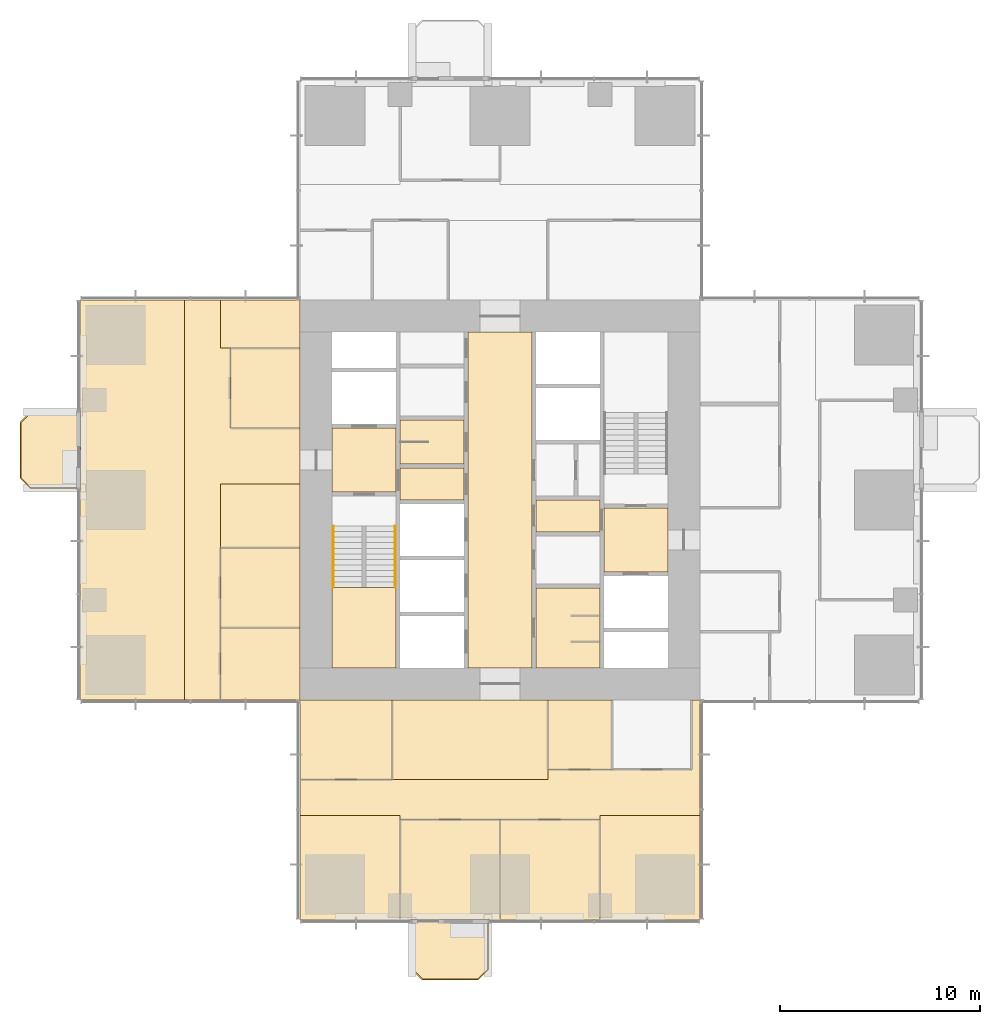
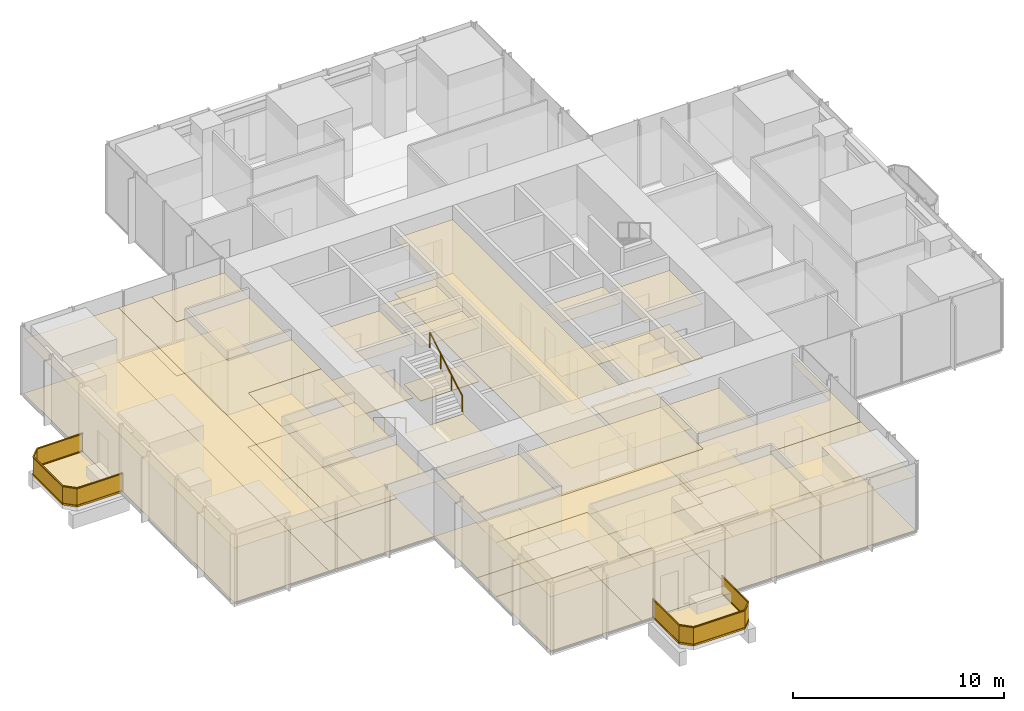
# One storey, part 11 of 13: 46 coverings, 4 railings.
"""IFC4 building model written with IfcOpenShell, lengths in metres."""

from ifc_helpers import new_model, si_unit, direction, frame, origin, origin_2d, place, context, subcontext, project, spatial, polyline, rectangle, circle, outline, extrude, material, layer, layer_set, type_object, element, save


model = new_model("IFC4")

# Units and contexts
model_context = context("Model", 3, precision=1e-05, world=origin(), true_north=direction((0.0, 1.0)))
body_context = subcontext(model_context, "Body", "Model", "MODEL_VIEW")
ifc_project = project(units=[si_unit("LENGTHUNIT", "METRE"), si_unit("AREAUNIT", "SQUARE_METRE"), si_unit("VOLUMEUNIT", "CUBIC_METRE"), si_unit("PLANEANGLEUNIT", "RADIAN"), si_unit("MASSUNIT", "GRAM", prefix="KILO")], contexts=[model_context])

# Site, building, storey
site_placement = place(None, origin())
site = spatial("IfcSite", under=ifc_project, at=site_placement, CompositionType="ELEMENT")
building_placement = place(site_placement, origin())
building = spatial("IfcBuilding", under=site, at=building_placement, Name="Svetlomir Tower", CompositionType="ELEMENT")
storey_placement = place(building_placement, frame((0.0, 0.0, 116.5)))
storey = spatial("IfcBuildingStorey", under=building, at=storey_placement, Name="L27", CompositionType="ELEMENT", Elevation=116.5)

# Railings
ifc_material_1 = material(Name="Bronze anodised aluminium and laminated glass", Category="aluminium")
railing_type_1 = type_object("IfcRailingType", Name="BALCONY GUARD GR1 1100", PredefinedType="GUARDRAIL", material=ifc_material_1)
railing_1_placement = place(storey_placement, frame((16.60009765625, 0.0, 0.0)))
element("IfcRailing", 1, at=railing_1_placement, inside=storey, type_object=railing_type_1, Name="Balcony guard S L27", PredefinedType="GUARDRAIL", context=body_context, shape_type="SweptSolid", body=[
    extrude(rectangle(XDim=0.06005859375, YDim=0.10009765625, at=origin_2d()), frame((0.0, 0.0, 0.050048828125), z_axis=(0.0, -1.0, 0.0), x_axis=(1.0, 0.0, 0.0)), (0.0, 0.0, 1.0), 2.5),
    extrude(rectangle(XDim=0.021484375, YDim=0.960205078125, at=origin_2d()), frame((0.0, 0.0, 0.580078125), z_axis=(0.0, -1.0, 0.0), x_axis=(1.0, 0.0, 0.0)), (0.0, 0.0, 1.0), 2.5),
    extrude(rectangle(XDim=0.06005859375, YDim=0.0400390625, at=origin_2d()), frame((0.0, 0.0, 1.080078125), z_axis=(0.0, -1.0, 0.0), x_axis=(1.0, 0.0, 0.0)), (0.0, 0.0, 1.0), 2.5),
    extrude(rectangle(XDim=0.06005859375, YDim=0.10009765625, at=origin_2d()), frame((0.0, -2.5, 0.050048828125), z_axis=(0.707106781187, -0.707106781187, 0.0), x_axis=(0.707106781187, 0.707106781187, 0.0)), (0.0, 0.0, 1.0), 0.70703125),
    extrude(rectangle(XDim=0.021484375, YDim=0.960205078125, at=origin_2d()), frame((0.0, -2.5, 0.580078125), z_axis=(0.707106781187, -0.707106781187, 0.0), x_axis=(0.707106781187, 0.707106781187, 0.0)), (0.0, 0.0, 1.0), 0.70703125),
    extrude(rectangle(XDim=0.06005859375, YDim=0.0400390625, at=origin_2d()), frame((0.0, -2.5, 1.080078125), z_axis=(0.707106781187, -0.707106781187, 0.0), x_axis=(0.707106781187, 0.707106781187, 0.0)), (0.0, 0.0, 1.0), 0.70703125),
    extrude(rectangle(XDim=0.06005859375, YDim=0.10009765625, at=origin_2d()), frame((0.5, -3.0, 0.050048828125), z_axis=(1.0, 0.0, 0.0), x_axis=(0.0, 1.0, 0.0)), (0.0, 0.0, 1.0), 2.7998046875),
    extrude(rectangle(XDim=0.021484375, YDim=0.960205078125, at=origin_2d()), frame((0.5, -3.0, 0.580078125), z_axis=(1.0, 0.0, 0.0), x_axis=(0.0, 1.0, 0.0)), (0.0, 0.0, 1.0), 2.7998046875),
    extrude(rectangle(XDim=0.06005859375, YDim=0.0400390625, at=origin_2d()), frame((0.5, -3.0, 1.080078125), z_axis=(1.0, 0.0, 0.0), x_axis=(0.0, 1.0, 0.0)), (0.0, 0.0, 1.0), 2.7998046875),
    extrude(rectangle(XDim=0.06005859375, YDim=0.10009765625, at=origin_2d()), frame((3.2998046875, -3.0, 0.050048828125), z_axis=(0.707106781187, 0.707106781187, 0.0), x_axis=(-0.707106781187, 0.707106781187, 0.0)), (0.0, 0.0, 1.0), 0.70703125),
    extrude(rectangle(XDim=0.021484375, YDim=0.960205078125, at=origin_2d()), frame((3.2998046875, -3.0, 0.580078125), z_axis=(0.707106781187, 0.707106781187, 0.0), x_axis=(-0.707106781187, 0.707106781187, 0.0)), (0.0, 0.0, 1.0), 0.70703125),
    extrude(rectangle(XDim=0.06005859375, YDim=0.0400390625, at=origin_2d()), frame((3.2998046875, -3.0, 1.080078125), z_axis=(0.707106781187, 0.707106781187, 0.0), x_axis=(-0.707106781187, 0.707106781187, 0.0)), (0.0, 0.0, 1.0), 0.70703125),
    extrude(rectangle(XDim=0.06005859375, YDim=0.10009765625, at=origin_2d()), frame((3.7998046875, -2.5, 0.050048828125), z_axis=(0.0, 1.0, 0.0), x_axis=(-1.0, 0.0, 0.0)), (0.0, 0.0, 1.0), 2.5),
    extrude(rectangle(XDim=0.021484375, YDim=0.960205078125, at=origin_2d()), frame((3.7998046875, -2.5, 0.580078125), z_axis=(0.0, 1.0, 0.0), x_axis=(-1.0, 0.0, 0.0)), (0.0, 0.0, 1.0), 2.5),
    extrude(rectangle(XDim=0.06005859375, YDim=0.0400390625, at=origin_2d()), frame((3.7998046875, -2.5, 1.080078125), z_axis=(0.0, 1.0, 0.0), x_axis=(-1.0, 0.0, 0.0)), (0.0, 0.0, 1.0), 2.5),
])
railing_2_placement = place(storey_placement, frame((0.0, 25.39990234375, 0.0)))
element("IfcRailing", 2, at=railing_2_placement, inside=storey, type_object=railing_type_1, Name="Balcony guard W L27", PredefinedType="GUARDRAIL", context=body_context, shape_type="SweptSolid", body=[
    extrude(rectangle(XDim=0.06005859375, YDim=0.10009765625, at=origin_2d()), frame((0.0, 0.0, 0.050048828125), z_axis=(-1.0, 0.0, 0.0), x_axis=(0.0, -1.0, 0.0)), (0.0, 0.0, 1.0), 2.5),
    extrude(rectangle(XDim=0.021484375, YDim=0.960205078125, at=origin_2d()), frame((0.0, 0.0, 0.580078125), z_axis=(-1.0, 0.0, 0.0), x_axis=(0.0, -1.0, 0.0)), (0.0, 0.0, 1.0), 2.5),
    extrude(rectangle(XDim=0.06005859375, YDim=0.0400390625, at=origin_2d()), frame((0.0, 0.0, 1.080078125), z_axis=(-1.0, 0.0, 0.0), x_axis=(0.0, -1.0, 0.0)), (0.0, 0.0, 1.0), 2.5),
    extrude(rectangle(XDim=0.06005859375, YDim=0.10009765625, at=origin_2d()), frame((-2.5, 0.0, 0.050048828125), z_axis=(-0.707106781187, -0.707106781187, 0.0), x_axis=(0.707106781187, -0.707106781187, 0.0)), (0.0, 0.0, 1.0), 0.70703125),
    extrude(rectangle(XDim=0.021484375, YDim=0.960205078125, at=origin_2d()), frame((-2.5, 0.0, 0.580078125), z_axis=(-0.707106781187, -0.707106781187, 0.0), x_axis=(0.707106781187, -0.707106781187, 0.0)), (0.0, 0.0, 1.0), 0.70703125),
    extrude(rectangle(XDim=0.06005859375, YDim=0.0400390625, at=origin_2d()), frame((-2.5, 0.0, 1.080078125), z_axis=(-0.707106781187, -0.707106781187, 0.0), x_axis=(0.707106781187, -0.707106781187, 0.0)), (0.0, 0.0, 1.0), 0.70703125),
    extrude(rectangle(XDim=0.06005859375, YDim=0.10009765625, at=origin_2d()), frame((-3.0, -0.5, 0.050048828125), z_axis=(0.0, -1.0, 0.0), x_axis=(1.0, 0.0, 0.0)), (0.0, 0.0, 1.0), 2.7998046875),
    extrude(rectangle(XDim=0.021484375, YDim=0.960205078125, at=origin_2d()), frame((-3.0, -0.5, 0.580078125), z_axis=(0.0, -1.0, 0.0), x_axis=(1.0, 0.0, 0.0)), (0.0, 0.0, 1.0), 2.7998046875),
    extrude(rectangle(XDim=0.06005859375, YDim=0.0400390625, at=origin_2d()), frame((-3.0, -0.5, 1.080078125), z_axis=(0.0, -1.0, 0.0), x_axis=(1.0, 0.0, 0.0)), (0.0, 0.0, 1.0), 2.7998046875),
    extrude(rectangle(XDim=0.06005859375, YDim=0.10009765625, at=origin_2d()), frame((-3.0, -3.2998046875, 0.050048828125), z_axis=(0.707106781187, -0.707106781187, 0.0), x_axis=(0.707106781187, 0.707106781187, 0.0)), (0.0, 0.0, 1.0), 0.70703125),
    extrude(rectangle(XDim=0.021484375, YDim=0.960205078125, at=origin_2d()), frame((-3.0, -3.2998046875, 0.580078125), z_axis=(0.707106781187, -0.707106781187, 0.0), x_axis=(0.707106781187, 0.707106781187, 0.0)), (0.0, 0.0, 1.0), 0.70703125),
    extrude(rectangle(XDim=0.06005859375, YDim=0.0400390625, at=origin_2d()), frame((-3.0, -3.2998046875, 1.080078125), z_axis=(0.707106781187, -0.707106781187, 0.0), x_axis=(0.707106781187, 0.707106781187, 0.0)), (0.0, 0.0, 1.0), 0.70703125),
    extrude(rectangle(XDim=0.06005859375, YDim=0.10009765625, at=origin_2d()), frame((-2.5, -3.7998046875, 0.050048828125), z_axis=(1.0, 0.0, 0.0), x_axis=(0.0, 1.0, 0.0)), (0.0, 0.0, 1.0), 2.5),
    extrude(rectangle(XDim=0.021484375, YDim=0.960205078125, at=origin_2d()), frame((-2.5, -3.7998046875, 0.580078125), z_axis=(1.0, 0.0, 0.0), x_axis=(0.0, 1.0, 0.0)), (0.0, 0.0, 1.0), 2.5),
    extrude(rectangle(XDim=0.06005859375, YDim=0.0400390625, at=origin_2d()), frame((-2.5, -3.7998046875, 1.080078125), z_axis=(1.0, 0.0, 0.0), x_axis=(0.0, 1.0, 0.0)), (0.0, 0.0, 1.0), 2.5),
])

# Coverings
ifc_material_2 = material(Name="Granite paving slabs on pedestals", Category="masonry")
ifc_layer_1 = layer(ifc_material_2, 0.0400390625)
ifc_layer_set_1 = layer_set([ifc_layer_1], Name="Granite paving slabs on pedestals")
covering_type_1 = type_object("IfcCoveringType", Name="BALCONY PAVING 40", PredefinedType="USERDEFINED", material=ifc_layer_set_1)
covering_1_placement = place(storey_placement, origin())
element("IfcCovering", 3, at=covering_1_placement, inside=storey, type_object=covering_type_1, Name="Balcony paving S L27", ObjectType="BALCONY PAVING", PredefinedType="USERDEFINED", context=body_context, shape_type="SweptSolid", body=[
    extrude(outline(polyline([(16.60009765625, -2.5), (17.10009765625, -3.0), (19.89990234375, -3.0), (20.39990234375, -2.5), (20.39990234375, 0.0), (16.60009765625, 0.0), (16.60009765625, -2.5)])), origin(), (0.0, 0.0, 1.0), 0.0400390625),
])
covering_2_placement = place(storey_placement, origin())
element("IfcCovering", 4, at=covering_2_placement, inside=storey, type_object=covering_type_1, Name="Balcony paving W L27", ObjectType="BALCONY PAVING", PredefinedType="USERDEFINED", context=body_context, shape_type="SweptSolid", body=[
    extrude(outline(polyline([(-2.5, 21.60009765625), (0.0, 21.60009765625), (0.0, 25.39990234375), (-2.5, 25.39990234375), (-3.0, 24.89990234375), (-3.0, 22.10009765625), (-2.5, 21.60009765625)])), origin(), (0.0, 0.0, 1.0), 0.0400390625),
])
ifc_material_3 = material(Name="Carpet tile", Category="textile")
ifc_layer_2 = layer(ifc_material_3, 0.010009765625)
ifc_layer_set_2 = layer_set([ifc_layer_2], Name="Carpet tile")
covering_type_2 = type_object("IfcCoveringType", Name="CARPET TILE FLOOR 10", PredefinedType="FLOORING", material=ifc_layer_set_2)
covering_3_placement = place(storey_placement, origin())
element("IfcCovering", 5, at=covering_3_placement, inside=storey, type_object=covering_type_2, Name="Floor finish L27-15", PredefinedType="FLOORING", context=body_context, shape_type="SweptSolid", body=[
    extrude(outline(polyline([(11.0, 7.0), (15.60009765625, 7.0), (15.60009765625, 11.0), (11.0, 11.0), (11.0, 7.0)])), origin(), (0.0, 0.0, 1.0), 0.010009765625),
])
covering_4_placement = place(storey_placement, origin())
element("IfcCovering", 6, at=covering_4_placement, inside=storey, type_object=covering_type_2, Name="Floor finish L27-16", PredefinedType="FLOORING", context=body_context, shape_type="SweptSolid", body=[
    extrude(outline(polyline([(23.39990234375, 7.5), (26.60009765625, 7.5), (26.60009765625, 11.0), (23.39990234375, 11.0), (23.39990234375, 7.5)])), origin(), (0.0, 0.0, 1.0), 0.010009765625),
])
covering_5_placement = place(storey_placement, origin())
element("IfcCovering", 7, at=covering_5_placement, inside=storey, type_object=covering_type_2, Name="Floor finish L27-18", PredefinedType="FLOORING", context=body_context, shape_type="SweptSolid", body=[
    extrude(outline(polyline([(16.0, 0.0), (21.0, 0.0), (21.0, 5.0), (16.0, 5.0), (16.0, 0.0)])), origin(), (0.0, 0.0, 1.0), 0.010009765625),
])
covering_6_placement = place(storey_placement, origin())
element("IfcCovering", 8, at=covering_6_placement, inside=storey, type_object=covering_type_2, Name="Floor finish L27-19", PredefinedType="FLOORING", context=body_context, shape_type="SweptSolid", body=[
    extrude(outline(polyline([(21.0, 0.0), (26.0, 0.0), (26.0, 5.0), (21.0, 5.0), (21.0, 0.0)])), origin(), (0.0, 0.0, 1.0), 0.010009765625),
])
covering_7_placement = place(storey_placement, origin())
element("IfcCovering", 9, at=covering_7_placement, inside=storey, type_object=covering_type_2, Name="Floor finish L27-29", PredefinedType="FLOORING", context=body_context, shape_type="SweptSolid", body=[
    extrude(outline(polyline([(7.0, 11.0), (11.0, 11.0), (11.0, 14.60009765625), (7.0, 14.60009765625), (7.0, 11.0)])), origin(), (0.0, 0.0, 1.0), 0.010009765625),
])
covering_8_placement = place(storey_placement, origin())
element("IfcCovering", 10, at=covering_8_placement, inside=storey, type_object=covering_type_2, Name="Floor finish L27-30", PredefinedType="FLOORING", context=body_context, shape_type="SweptSolid", body=[
    extrude(outline(polyline([(7.0, 14.60009765625), (11.0, 14.60009765625), (11.0, 18.60009765625), (7.0, 18.60009765625), (7.0, 14.60009765625)])), origin(), (0.0, 0.0, 1.0), 0.010009765625),
])
covering_9_placement = place(storey_placement, origin())
element("IfcCovering", 11, at=covering_9_placement, inside=storey, type_object=covering_type_2, Name="Floor finish L27-31", PredefinedType="FLOORING", context=body_context, shape_type="SweptSolid", body=[
    extrude(outline(polyline([(7.5, 24.60009765625), (11.0, 24.60009765625), (11.0, 28.60009765625), (7.5, 28.60009765625), (7.5, 24.60009765625)])), origin(), (0.0, 0.0, 1.0), 0.010009765625),
])
covering_10_placement = place(storey_placement, origin())
element("IfcCovering", 12, at=covering_10_placement, inside=storey, type_object=covering_type_2, Name="Floor finish L27-32", PredefinedType="FLOORING", context=body_context, shape_type="SweptSolid", body=[
    extrude(outline(polyline([(16.0, 5.0), (16.0, 5.199951171875), (11.0, 5.199951171875), (11.0, 7.0), (23.39990234375, 7.0), (23.39990234375, 7.5), (30.60009765625, 7.5), (30.60009765625, 11.0), (31.0, 11.0), (31.0, 5.199951171875), (26.0, 5.199951171875), (26.0, 5.0), (16.0, 5.0)])), origin(), (0.0, 0.0, 1.0), 0.010009765625),
])
covering_11_placement = place(storey_placement, origin())
element("IfcCovering", 13, at=covering_11_placement, inside=storey, type_object=covering_type_2, Name="Floor finish L27-33", PredefinedType="FLOORING", context=body_context, shape_type="SweptSolid", body=[
    extrude(outline(polyline([(7.0, 21.800048828125), (7.0, 11.0), (5.199951171875, 11.0), (5.199951171875, 31.0), (7.0, 31.0), (7.0, 28.60009765625), (7.5, 28.60009765625), (7.5, 24.60009765625), (11.0, 24.60009765625), (11.0, 21.800048828125), (7.0, 21.800048828125)])), origin(), (0.0, 0.0, 1.0), 0.010009765625),
])
covering_12_placement = place(storey_placement, origin())
element("IfcCovering", 14, at=covering_12_placement, inside=storey, type_object=covering_type_2, Name="Floor finish L27-36", PredefinedType="FLOORING", context=body_context, shape_type="SweptSolid", body=[
    extrude(outline(polyline([(16.0, 5.199951171875), (16.0, 0.0), (11.0, 0.0), (11.0, 5.199951171875), (16.0, 5.199951171875)])), origin(), (0.0, 0.0, 1.0), 0.010009765625),
])
covering_13_placement = place(storey_placement, origin())
element("IfcCovering", 15, at=covering_13_placement, inside=storey, type_object=covering_type_2, Name="Floor finish L27-37", PredefinedType="FLOORING", context=body_context, shape_type="SweptSolid", body=[
    extrude(outline(polyline([(23.39990234375, 11.0), (23.39990234375, 7.0), (15.60009765625, 7.0), (15.60009765625, 11.0), (23.39990234375, 11.0)])), origin(), (0.0, 0.0, 1.0), 0.010009765625),
])
covering_14_placement = place(storey_placement, origin())
element("IfcCovering", 16, at=covering_14_placement, inside=storey, type_object=covering_type_2, Name="Floor finish L27-38", PredefinedType="FLOORING", context=body_context, shape_type="SweptSolid", body=[
    extrude(outline(polyline([(26.0, 0.0), (26.0, 5.199951171875), (31.0, 5.199951171875), (31.0, 0.0), (26.0, 0.0)])), origin(), (0.0, 0.0, 1.0), 0.010009765625),
])
covering_15_placement = place(storey_placement, origin())
element("IfcCovering", 17, at=covering_15_placement, inside=storey, type_object=covering_type_2, Name="Floor finish L27-44", PredefinedType="FLOORING", context=body_context, shape_type="SweptSolid", body=[
    extrude(outline(polyline([(5.199951171875, 31.0), (5.199951171875, 11.0), (0.0, 11.0), (0.0, 31.0), (5.199951171875, 31.0)])), origin(), (0.0, 0.0, 1.0), 0.010009765625),
])
covering_16_placement = place(storey_placement, origin())
element("IfcCovering", 18, at=covering_16_placement, inside=storey, type_object=covering_type_2, Name="Floor finish L27-45", PredefinedType="FLOORING", context=body_context, shape_type="SweptSolid", body=[
    extrude(outline(polyline([(11.0, 28.60009765625), (7.0, 28.60009765625), (7.0, 31.0), (11.0, 31.0), (11.0, 28.60009765625)])), origin(), (0.0, 0.0, 1.0), 0.010009765625),
])
covering_17_placement = place(storey_placement, origin())
element("IfcCovering", 19, at=covering_17_placement, inside=storey, type_object=covering_type_2, Name="Floor finish L27-46", PredefinedType="FLOORING", context=body_context, shape_type="SweptSolid", body=[
    extrude(outline(polyline([(7.0, 18.60009765625), (7.0, 21.800048828125), (11.0, 21.800048828125), (11.0, 18.60009765625), (7.0, 18.60009765625)])), origin(), (0.0, 0.0, 1.0), 0.010009765625),
])
ifc_material_4 = material(Name="Ceramic floor tile", Category="ceramic")
ifc_layer_3 = layer(ifc_material_4, 0.014892578125)
ifc_layer_set_3 = layer_set([ifc_layer_3], Name="Ceramic floor tile")
covering_type_3 = type_object("IfcCoveringType", Name="CERAMIC TILE FLOOR 15", PredefinedType="FLOORING", material=ifc_layer_set_3)
covering_18_placement = place(storey_placement, origin())
element("IfcCovering", 20, at=covering_18_placement, inside=storey, type_object=covering_type_3, Name="Floor finish L27-08", PredefinedType="FLOORING", context=body_context, shape_type="SweptSolid", body=[
    extrude(outline(polyline([(22.800048828125, 12.60009765625), (26.0, 12.60009765625), (26.0, 16.60009765625), (22.800048828125, 16.60009765625), (22.800048828125, 12.60009765625)])), origin(), (0.0, 0.0, 1.0), 0.014892578125),
])

# Railings
ifc_material_5 = material(Name="Stainless steel", Category="steel")
railing_type_2 = type_object("IfcRailingType", Name="HANDRAIL HR1 900", PredefinedType="HANDRAIL", material=ifc_material_5)
railing_3_placement = place(storey_placement, frame((12.64990234375, 19.699951171875, 0.166748046875)))
element("IfcRailing", 21, at=railing_3_placement, inside=storey, type_object=railing_type_2, Name="Handrail S1 flight 1 L27", PredefinedType="HANDRAIL", context=body_context, shape_type="SweptSolid", body=[
    extrude(circle(Radius=0.02392578125, at=origin_2d()), frame((0.0, 0.0, 0.8759765625), z_axis=(0.0, -0.859290745958, 0.51148745235), x_axis=(1.0, 0.0, 0.0)), (0.0, 0.0, 1.0), 3.584228515625),
    extrude(circle(Radius=0.02099609375, at=origin_2d()), origin(), (0.0, 0.0, 1.0), 0.851806640625),
    extrude(circle(Radius=0.02099609375, at=origin_2d()), frame((0.0, -1.026611328125, 0.611083984375)), (0.0, 0.0, 1.0), 0.851806640625),
    extrude(circle(Radius=0.02099609375, at=origin_2d()), frame((0.0, -2.05322265625, 1.22216796875)), (0.0, 0.0, 1.0), 0.851806640625),
    extrude(circle(Radius=0.02099609375, at=origin_2d()), frame((0.0, -3.079833984375, 1.833251953125)), (0.0, 0.0, 1.0), 0.851806640625),
])
railing_4_placement = place(storey_placement, frame((15.75, 16.6201171875, 2.166748046875)))
element("IfcRailing", 22, at=railing_4_placement, inside=storey, type_object=railing_type_2, Name="Handrail S1 flight 2 L27", PredefinedType="HANDRAIL", context=body_context, shape_type="SweptSolid", body=[
    extrude(circle(Radius=0.02392578125, at=origin_2d()), frame((0.0, 0.0, 0.8759765625), z_axis=(0.0, 0.859290745958, 0.51148745235), x_axis=(-1.0, 0.0, 0.0)), (0.0, 0.0, 1.0), 3.584228515625),
    extrude(circle(Radius=0.02099609375, at=origin_2d()), origin(), (0.0, 0.0, 1.0), 0.851806640625),
    extrude(circle(Radius=0.02099609375, at=origin_2d()), frame((0.0, 1.026611328125, 0.611083984375)), (0.0, 0.0, 1.0), 0.851806640625),
    extrude(circle(Radius=0.02099609375, at=origin_2d()), frame((0.0, 2.05322265625, 1.22216796875)), (0.0, 0.0, 1.0), 0.851806640625),
    extrude(circle(Radius=0.02099609375, at=origin_2d()), frame((0.0, 3.079833984375, 1.833251953125)), (0.0, 0.0, 1.0), 0.851806640625),
])

# Coverings
ifc_material_6 = material(Name="Moisture resistant plasterboard ceiling", Category="gypsum")
ifc_layer_4 = layer(ifc_material_6, 0.012451171875)
ifc_layer_set_4 = layer_set([ifc_layer_4], Name="Moisture resistant plasterboard ceiling")
covering_type_4 = type_object("IfcCoveringType", Name="MOISTURE RESISTANT CEILING 12.5", PredefinedType="CEILING", material=ifc_layer_set_4)
covering_19_placement = place(storey_placement, frame((0.0, 0.0, 3.137451171875)))
element("IfcCovering", 23, at=covering_19_placement, inside=storey, type_object=covering_type_4, Name="Ceiling L27-04", PredefinedType="CEILING", context=body_context, shape_type="SweptSolid", body=[
    extrude(outline(polyline([(16.0, 22.800048828125), (19.199951171875, 22.800048828125), (19.199951171875, 25.0), (16.0, 25.0), (16.0, 22.800048828125)])), origin(), (0.0, 0.0, 1.0), 0.012451171875),
])
covering_20_placement = place(storey_placement, frame((0.0, 0.0, 3.137451171875)))
element("IfcCovering", 24, at=covering_20_placement, inside=storey, type_object=covering_type_4, Name="Ceiling L27-08", PredefinedType="CEILING", context=body_context, shape_type="SweptSolid", body=[
    extrude(outline(polyline([(22.800048828125, 12.60009765625), (26.0, 12.60009765625), (26.0, 16.60009765625), (22.800048828125, 16.60009765625), (22.800048828125, 12.60009765625)])), origin(), (0.0, 0.0, 1.0), 0.012451171875),
])
ifc_material_7 = material(Name="Gypsum plasterboard ceiling", Category="gypsum")
ifc_layer_5 = layer(ifc_material_7, 0.014892578125)
ifc_layer_set_5 = layer_set([ifc_layer_5], Name="Gypsum plasterboard ceiling")
covering_type_5 = type_object("IfcCoveringType", Name="PLASTERBOARD CEILING 15", PredefinedType="CEILING", material=ifc_layer_set_5)
covering_21_placement = place(storey_placement, frame((0.0, 0.0, 3.135009765625)))
element("IfcCovering", 25, at=covering_21_placement, inside=storey, type_object=covering_type_5, Name="Ceiling L27-02", PredefinedType="CEILING", context=body_context, shape_type="SweptSolid", body=[
    extrude(outline(polyline([(12.60009765625, 21.39990234375), (15.800048828125, 21.39990234375), (15.800048828125, 24.60009765625), (12.60009765625, 24.60009765625), (12.60009765625, 21.39990234375)])), origin(), (0.0, 0.0, 1.0), 0.014892578125),
])
covering_22_placement = place(storey_placement, frame((0.0, 0.0, 3.135009765625)))
element("IfcCovering", 26, at=covering_22_placement, inside=storey, type_object=covering_type_5, Name="Ceiling L27-03", PredefinedType="CEILING", context=body_context, shape_type="SweptSolid", body=[
    extrude(outline(polyline([(16.0, 21.0), (19.199951171875, 21.0), (19.199951171875, 22.60009765625), (16.0, 22.60009765625), (16.0, 21.0)])), origin(), (0.0, 0.0, 1.0), 0.014892578125),
])
covering_23_placement = place(storey_placement, frame((0.0, 0.0, 3.135009765625)))
element("IfcCovering", 27, at=covering_23_placement, inside=storey, type_object=covering_type_5, Name="Ceiling L27-07", PredefinedType="CEILING", context=body_context, shape_type="SweptSolid", body=[
    extrude(outline(polyline([(19.39990234375, 12.60009765625), (22.60009765625, 12.60009765625), (22.60009765625, 29.39990234375), (19.39990234375, 29.39990234375), (19.39990234375, 12.60009765625)])), origin(), (0.0, 0.0, 1.0), 0.014892578125),
])
covering_24_placement = place(storey_placement, frame((0.0, 0.0, 3.135009765625)))
element("IfcCovering", 28, at=covering_24_placement, inside=storey, type_object=covering_type_5, Name="Ceiling L27-10", PredefinedType="CEILING", context=body_context, shape_type="SweptSolid", body=[
    extrude(outline(polyline([(22.800048828125, 19.39990234375), (26.0, 19.39990234375), (26.0, 21.0), (22.800048828125, 21.0), (22.800048828125, 19.39990234375)])), origin(), (0.0, 0.0, 1.0), 0.014892578125),
])
covering_25_placement = place(storey_placement, frame((0.0, 0.0, 3.135009765625)))
element("IfcCovering", 29, at=covering_25_placement, inside=storey, type_object=covering_type_5, Name="Ceiling L27-11", PredefinedType="CEILING", context=body_context, shape_type="SweptSolid", body=[
    extrude(outline(polyline([(26.199951171875, 17.39990234375), (29.39990234375, 17.39990234375), (29.39990234375, 20.60009765625), (26.199951171875, 20.60009765625), (26.199951171875, 17.39990234375)])), origin(), (0.0, 0.0, 1.0), 0.014892578125),
])
ifc_material_8 = material(Name="Studded rubber floor finish", Category="rubber")
ifc_layer_6 = layer(ifc_material_8, 0.006103515625)
ifc_layer_set_6 = layer_set([ifc_layer_6], Name="Studded rubber floor finish")
covering_type_6 = type_object("IfcCoveringType", Name="RUBBER LANDING FINISH 6", PredefinedType="FLOORING", material=ifc_layer_set_6)
covering_26_placement = place(storey_placement, frame((0.0, 0.0, 2.0)))
element("IfcCovering", 30, at=covering_26_placement, inside=storey, type_object=covering_type_6, Name="Stair S1 landing finish L27", PredefinedType="FLOORING", context=body_context, shape_type="SweptSolid", body=[
    extrude(outline(polyline([(12.60009765625, 12.60009765625), (15.800048828125, 12.60009765625), (15.800048828125, 16.6201171875), (12.60009765625, 16.6201171875), (12.60009765625, 12.60009765625)])), origin(), (0.0, 0.0, 1.0), 0.006103515625),
])
ifc_material_9 = material(Name="Mineral fibre ceiling tile", Category="mineral")
ifc_layer_7 = layer(ifc_material_9, 0.02001953125)
ifc_layer_set_7 = layer_set([ifc_layer_7], Name="Mineral fibre ceiling tile")
covering_type_7 = type_object("IfcCoveringType", Name="SUSPENDED CEILING 20", PredefinedType="CEILING", material=ifc_layer_set_7)
covering_27_placement = place(storey_placement, frame((0.0, 0.0, 3.1298828125)))
element("IfcCovering", 31, at=covering_27_placement, inside=storey, type_object=covering_type_7, Name="Ceiling L27-15", PredefinedType="CEILING", context=body_context, shape_type="SweptSolid", body=[
    extrude(outline(polyline([(11.0, 7.0), (15.60009765625, 7.0), (15.60009765625, 11.0), (11.0, 11.0), (11.0, 7.0)])), origin(), (0.0, 0.0, 1.0), 0.02001953125),
])
covering_28_placement = place(storey_placement, frame((0.0, 0.0, 3.1298828125)))
element("IfcCovering", 32, at=covering_28_placement, inside=storey, type_object=covering_type_7, Name="Ceiling L27-16", PredefinedType="CEILING", context=body_context, shape_type="SweptSolid", body=[
    extrude(outline(polyline([(23.39990234375, 7.5), (26.60009765625, 7.5), (26.60009765625, 11.0), (23.39990234375, 11.0), (23.39990234375, 7.5)])), origin(), (0.0, 0.0, 1.0), 0.02001953125),
])
covering_29_placement = place(storey_placement, frame((0.0, 0.0, 3.1298828125)))
element("IfcCovering", 33, at=covering_29_placement, inside=storey, type_object=covering_type_7, Name="Ceiling L27-18", PredefinedType="CEILING", context=body_context, shape_type="SweptSolid", body=[
    extrude(outline(polyline([(16.0, 0.0), (21.0, 0.0), (21.0, 5.0), (16.0, 5.0), (16.0, 0.0)])), origin(), (0.0, 0.0, 1.0), 0.02001953125),
])
covering_30_placement = place(storey_placement, frame((0.0, 0.0, 3.1298828125)))
element("IfcCovering", 34, at=covering_30_placement, inside=storey, type_object=covering_type_7, Name="Ceiling L27-19", PredefinedType="CEILING", context=body_context, shape_type="SweptSolid", body=[
    extrude(outline(polyline([(21.0, 0.0), (26.0, 0.0), (26.0, 5.0), (21.0, 5.0), (21.0, 0.0)])), origin(), (0.0, 0.0, 1.0), 0.02001953125),
])
covering_31_placement = place(storey_placement, frame((0.0, 0.0, 3.1298828125)))
element("IfcCovering", 35, at=covering_31_placement, inside=storey, type_object=covering_type_7, Name="Ceiling L27-29", PredefinedType="CEILING", context=body_context, shape_type="SweptSolid", body=[
    extrude(outline(polyline([(7.0, 11.0), (11.0, 11.0), (11.0, 14.60009765625), (7.0, 14.60009765625), (7.0, 11.0)])), origin(), (0.0, 0.0, 1.0), 0.02001953125),
])
covering_32_placement = place(storey_placement, frame((0.0, 0.0, 3.1298828125)))
element("IfcCovering", 36, at=covering_32_placement, inside=storey, type_object=covering_type_7, Name="Ceiling L27-30", PredefinedType="CEILING", context=body_context, shape_type="SweptSolid", body=[
    extrude(outline(polyline([(7.0, 14.60009765625), (11.0, 14.60009765625), (11.0, 18.60009765625), (7.0, 18.60009765625), (7.0, 14.60009765625)])), origin(), (0.0, 0.0, 1.0), 0.02001953125),
])
covering_33_placement = place(storey_placement, frame((0.0, 0.0, 3.1298828125)))
element("IfcCovering", 37, at=covering_33_placement, inside=storey, type_object=covering_type_7, Name="Ceiling L27-31", PredefinedType="CEILING", context=body_context, shape_type="SweptSolid", body=[
    extrude(outline(polyline([(7.5, 24.60009765625), (11.0, 24.60009765625), (11.0, 28.60009765625), (7.5, 28.60009765625), (7.5, 24.60009765625)])), origin(), (0.0, 0.0, 1.0), 0.02001953125),
])
covering_34_placement = place(storey_placement, frame((0.0, 0.0, 3.1298828125)))
element("IfcCovering", 38, at=covering_34_placement, inside=storey, type_object=covering_type_7, Name="Ceiling L27-32", PredefinedType="CEILING", context=body_context, shape_type="SweptSolid", body=[
    extrude(outline(polyline([(16.0, 5.0), (16.0, 5.199951171875), (11.0, 5.199951171875), (11.0, 7.0), (23.39990234375, 7.0), (23.39990234375, 7.5), (30.60009765625, 7.5), (30.60009765625, 11.0), (31.0, 11.0), (31.0, 5.199951171875), (26.0, 5.199951171875), (26.0, 5.0), (16.0, 5.0)])), origin(), (0.0, 0.0, 1.0), 0.02001953125),
])
covering_35_placement = place(storey_placement, frame((0.0, 0.0, 3.1298828125)))
element("IfcCovering", 39, at=covering_35_placement, inside=storey, type_object=covering_type_7, Name="Ceiling L27-33", PredefinedType="CEILING", context=body_context, shape_type="SweptSolid", body=[
    extrude(outline(polyline([(7.0, 21.800048828125), (7.0, 11.0), (5.199951171875, 11.0), (5.199951171875, 31.0), (7.0, 31.0), (7.0, 28.60009765625), (7.5, 28.60009765625), (7.5, 24.60009765625), (11.0, 24.60009765625), (11.0, 21.800048828125), (7.0, 21.800048828125)])), origin(), (0.0, 0.0, 1.0), 0.02001953125),
])
covering_36_placement = place(storey_placement, frame((0.0, 0.0, 3.1298828125)))
element("IfcCovering", 40, at=covering_36_placement, inside=storey, type_object=covering_type_7, Name="Ceiling L27-36", PredefinedType="CEILING", context=body_context, shape_type="SweptSolid", body=[
    extrude(outline(polyline([(16.0, 5.199951171875), (16.0, 0.0), (11.0, 0.0), (11.0, 5.199951171875), (16.0, 5.199951171875)])), origin(), (0.0, 0.0, 1.0), 0.02001953125),
])
covering_37_placement = place(storey_placement, frame((0.0, 0.0, 3.1298828125)))
element("IfcCovering", 41, at=covering_37_placement, inside=storey, type_object=covering_type_7, Name="Ceiling L27-37", PredefinedType="CEILING", context=body_context, shape_type="SweptSolid", body=[
    extrude(outline(polyline([(23.39990234375, 11.0), (23.39990234375, 7.0), (15.60009765625, 7.0), (15.60009765625, 11.0), (23.39990234375, 11.0)])), origin(), (0.0, 0.0, 1.0), 0.02001953125),
])
covering_38_placement = place(storey_placement, frame((0.0, 0.0, 3.1298828125)))
element("IfcCovering", 42, at=covering_38_placement, inside=storey, type_object=covering_type_7, Name="Ceiling L27-38", PredefinedType="CEILING", context=body_context, shape_type="SweptSolid", body=[
    extrude(outline(polyline([(26.0, 0.0), (26.0, 5.199951171875), (31.0, 5.199951171875), (31.0, 0.0), (26.0, 0.0)])), origin(), (0.0, 0.0, 1.0), 0.02001953125),
])
covering_39_placement = place(storey_placement, frame((0.0, 0.0, 3.1298828125)))
element("IfcCovering", 43, at=covering_39_placement, inside=storey, type_object=covering_type_7, Name="Ceiling L27-44", PredefinedType="CEILING", context=body_context, shape_type="SweptSolid", body=[
    extrude(outline(polyline([(5.199951171875, 31.0), (5.199951171875, 11.0), (0.0, 11.0), (0.0, 31.0), (5.199951171875, 31.0)])), origin(), (0.0, 0.0, 1.0), 0.02001953125),
])
covering_40_placement = place(storey_placement, frame((0.0, 0.0, 3.1298828125)))
element("IfcCovering", 44, at=covering_40_placement, inside=storey, type_object=covering_type_7, Name="Ceiling L27-45", PredefinedType="CEILING", context=body_context, shape_type="SweptSolid", body=[
    extrude(outline(polyline([(11.0, 28.60009765625), (7.0, 28.60009765625), (7.0, 31.0), (11.0, 31.0), (11.0, 28.60009765625)])), origin(), (0.0, 0.0, 1.0), 0.02001953125),
])
covering_41_placement = place(storey_placement, frame((0.0, 0.0, 3.1298828125)))
element("IfcCovering", 45, at=covering_41_placement, inside=storey, type_object=covering_type_7, Name="Ceiling L27-46", PredefinedType="CEILING", context=body_context, shape_type="SweptSolid", body=[
    extrude(outline(polyline([(7.0, 18.60009765625), (7.0, 21.800048828125), (11.0, 21.800048828125), (11.0, 18.60009765625), (7.0, 18.60009765625)])), origin(), (0.0, 0.0, 1.0), 0.02001953125),
])
ifc_material_10 = material(Name="Bronze-aggregate terrazzo", Category="stone")
ifc_layer_8 = layer(ifc_material_10, 0.030029296875)
ifc_layer_set_8 = layer_set([ifc_layer_8], Name="Bronze-aggregate terrazzo")
covering_type_8 = type_object("IfcCoveringType", Name="TERRAZZO FLOOR 30", PredefinedType="FLOORING", material=ifc_layer_set_8)
covering_42_placement = place(storey_placement, origin())
element("IfcCovering", 46, at=covering_42_placement, inside=storey, type_object=covering_type_8, Name="Floor finish L27-02", PredefinedType="FLOORING", context=body_context, shape_type="SweptSolid", body=[
    extrude(outline(polyline([(12.60009765625, 21.39990234375), (15.800048828125, 21.39990234375), (15.800048828125, 24.60009765625), (12.60009765625, 24.60009765625), (12.60009765625, 21.39990234375)])), origin(), (0.0, 0.0, 1.0), 0.030029296875),
])
covering_43_placement = place(storey_placement, origin())
element("IfcCovering", 47, at=covering_43_placement, inside=storey, type_object=covering_type_8, Name="Floor finish L27-03", PredefinedType="FLOORING", context=body_context, shape_type="SweptSolid", body=[
    extrude(outline(polyline([(16.0, 21.0), (19.199951171875, 21.0), (19.199951171875, 22.60009765625), (16.0, 22.60009765625), (16.0, 21.0)])), origin(), (0.0, 0.0, 1.0), 0.030029296875),
])
covering_44_placement = place(storey_placement, origin())
element("IfcCovering", 48, at=covering_44_placement, inside=storey, type_object=covering_type_8, Name="Floor finish L27-07", PredefinedType="FLOORING", context=body_context, shape_type="SweptSolid", body=[
    extrude(outline(polyline([(19.39990234375, 12.60009765625), (22.60009765625, 12.60009765625), (22.60009765625, 29.39990234375), (19.39990234375, 29.39990234375), (19.39990234375, 12.60009765625)])), origin(), (0.0, 0.0, 1.0), 0.030029296875),
])
covering_45_placement = place(storey_placement, origin())
element("IfcCovering", 49, at=covering_45_placement, inside=storey, type_object=covering_type_8, Name="Floor finish L27-10", PredefinedType="FLOORING", context=body_context, shape_type="SweptSolid", body=[
    extrude(outline(polyline([(22.800048828125, 19.39990234375), (26.0, 19.39990234375), (26.0, 21.0), (22.800048828125, 21.0), (22.800048828125, 19.39990234375)])), origin(), (0.0, 0.0, 1.0), 0.030029296875),
])
covering_46_placement = place(storey_placement, origin())
element("IfcCovering", 50, at=covering_46_placement, inside=storey, type_object=covering_type_8, Name="Floor finish L27-11", PredefinedType="FLOORING", context=body_context, shape_type="SweptSolid", body=[
    extrude(outline(polyline([(26.199951171875, 17.39990234375), (29.39990234375, 17.39990234375), (29.39990234375, 20.60009765625), (26.199951171875, 20.60009765625), (26.199951171875, 17.39990234375)])), origin(), (0.0, 0.0, 1.0), 0.030029296875),
])

save(model, "model.ifc")
